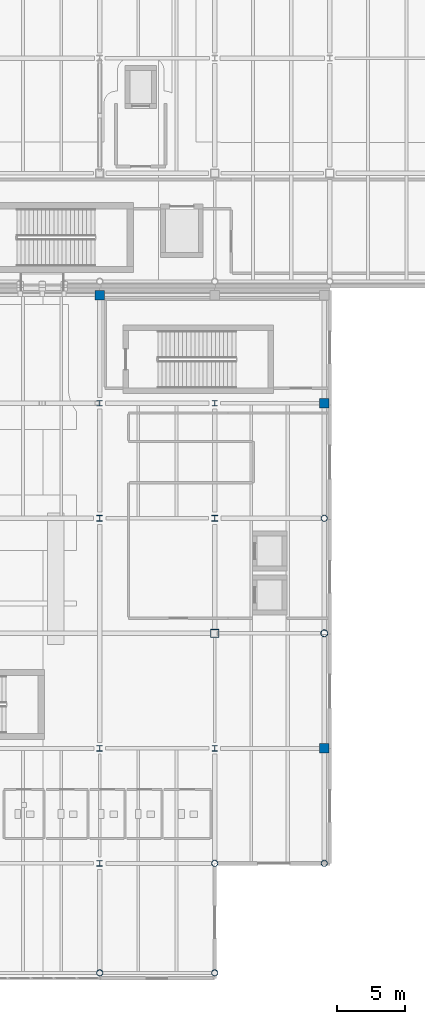
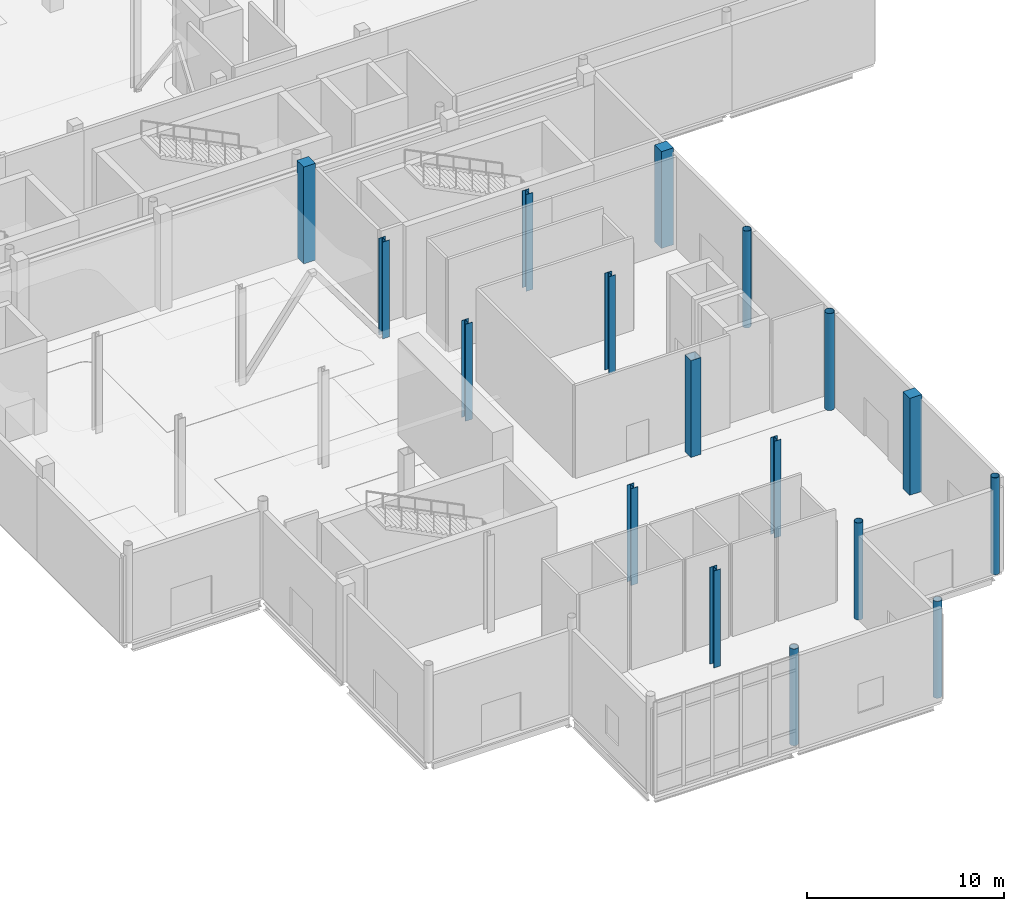
# One storey, part 13 of 85: 17 columns.
"""IFC4 building model written with IfcOpenShell, lengths in metres."""

from ifc_helpers import new_model, si_unit, direction, frame, origin, origin_2d, place, context, subcontext, project, spatial, rectangle, hollow_rectangle, hollow_circle, i_section, extrude, material, material_profile, profile_set, type_object, element, save


model = new_model("IFC4")

# Units and contexts
model_context = context("Model", 3, precision=1e-05, world=origin(), true_north=direction((0.0, 1.0)))
body_context = subcontext(model_context, "Body", "Model", "MODEL_VIEW")
ifc_project = project(units=[si_unit("LENGTHUNIT", "METRE"), si_unit("AREAUNIT", "SQUARE_METRE"), si_unit("VOLUMEUNIT", "CUBIC_METRE"), si_unit("PLANEANGLEUNIT", "RADIAN"), si_unit("MASSUNIT", "GRAM", prefix="KILO"), si_unit("THERMODYNAMICTEMPERATUREUNIT", "KELVIN")], contexts=[model_context])

# Site, building, storey
site_placement = place(None, origin())
site = spatial("IfcSite", under=ifc_project, at=site_placement, CompositionType="ELEMENT")
building_placement = place(site_placement, origin())
building = spatial("IfcBuilding", under=site, at=building_placement, Name="Lustrewick Department Store", CompositionType="ELEMENT")
storey_placement = place(building_placement, origin())
storey = spatial("IfcBuildingStorey", under=building, at=storey_placement, Name="L01", CompositionType="ELEMENT", Elevation=0.0)

# Columns
ifc_material_1 = material(Name="Structural steel Q355C", Category="steel")
ifc_material_profile_1 = material_profile(ifc_material_1, hollow_rectangle(XDim=0.60009765625, YDim=0.60009765625, WallThickness=0.02392578125, at=origin_2d()), Name="BOX 600x600x24")
ifc_profile_set_1 = profile_set([ifc_material_profile_1], Name="Structural steel Q355C")
column_type_1 = type_object("IfcColumnType", Name="C04", PredefinedType="COLUMN", material=ifc_profile_set_1)
column_1_placement = place(storey_placement, frame((142.800048828125, 25.199951171875, 0.0), z_axis=(0.0, 0.0, 1.0), x_axis=(1.0, 0.0, 0.0)))
element("IfcColumn", 1, at=column_1_placement, inside=storey, type_object=column_type_1, Name="L01 V3 Column C04", PredefinedType="COLUMN", context=body_context, shape_type="SweptSolid", body=[
    extrude(hollow_rectangle(XDim=0.60009765625, YDim=0.60009765625, WallThickness=0.02392578125, at=origin_2d()), origin(), (0.0, 0.0, 1.0), 6.0),
])
ifc_material_profile_2 = material_profile(ifc_material_1, i_section(OverallWidth=0.405029296875, OverallDepth=0.4140625, WebThickness=0.01806640625, FlangeThickness=0.028076171875, FilletRadius=0.02197265625, at=origin_2d()), Name="HW 414x405x18x28")
ifc_profile_set_2 = profile_set([ifc_material_profile_2], Name="Structural steel Q355C")
column_type_2 = type_object("IfcColumnType", Name="C10", PredefinedType="COLUMN", material=ifc_profile_set_2)
for number, where, z_axis, x_axis, name in (
    (2, (134.39990234375, 8.39990234375, 0.0), (0.0, 0.0, 1.0), (1.0, 0.0, 0.0), "L01 V3 Column C10"),
    (3, (134.39990234375, 33.60009765625, 0.0), (0.0, 0.0, 1.0), (1.0, 0.0, 0.0), "L01 V3 Column C10"),
    (4, (142.800048828125, 33.60009765625, 0.0), (0.0, 0.0, 1.0), (1.0, 0.0, 0.0), "L01 V3 Column C10"),
):
    element("IfcColumn", number, at=place(storey_placement, frame(where, z_axis=z_axis, x_axis=x_axis)), inside=storey, type_object=column_type_2, Name=name, PredefinedType="COLUMN", context=body_context, shape_type="SweptSolid", body=[
        extrude(i_section(OverallWidth=0.405029296875, OverallDepth=0.4140625, WebThickness=0.01806640625, FlangeThickness=0.028076171875, FilletRadius=0.02197265625, at=origin_2d()), origin(), (0.0, 0.0, 1.0), 6.0),
    ])
ifc_material_2 = material(Name="Structural steel Q355B", Category="steel")
ifc_material_profile_3 = material_profile(ifc_material_2, i_section(OverallWidth=0.39990234375, OverallDepth=0.39990234375, WebThickness=0.012939453125, FlangeThickness=0.02099609375, FilletRadius=0.02197265625, at=origin_2d()), Name="HW 400x400x13x21")
ifc_profile_set_3 = profile_set([ifc_material_profile_3], Name="Structural steel Q355B")
column_type_3 = type_object("IfcColumnType", Name="C11", PredefinedType="COLUMN", material=ifc_profile_set_3)
for number, where, z_axis, x_axis, name in (
    (5, (134.39990234375, 16.800048828125, 0.0), (0.0, 0.0, 1.0), (1.0, 0.0, 0.0), "L01 V3 Column C11"),
    (6, (134.39990234375, 42.0, 0.0), (0.0, 0.0, 1.0), (1.0, 0.0, 0.0), "L01 V3 Column C11"),
    (7, (142.800048828125, 16.800048828125, 0.0), (0.0, 0.0, 1.0), (1.0, 0.0, 0.0), "L01 V3 Column C11"),
    (8, (142.800048828125, 42.0, 0.0), (0.0, 0.0, 1.0), (1.0, 0.0, 0.0), "L01 V3 Column C11"),
):
    element("IfcColumn", number, at=place(storey_placement, frame(where, z_axis=z_axis, x_axis=x_axis)), inside=storey, type_object=column_type_3, Name=name, PredefinedType="COLUMN", context=body_context, shape_type="SweptSolid", body=[
        extrude(i_section(OverallWidth=0.39990234375, OverallDepth=0.39990234375, WebThickness=0.012939453125, FlangeThickness=0.02099609375, FilletRadius=0.02197265625, at=origin_2d()), origin(), (0.0, 0.0, 1.0), 6.0),
    ])
ifc_material_profile_4 = material_profile(ifc_material_1, hollow_circle(Radius=0.25390625, WallThickness=0.01611328125, at=origin_2d()), Name="CHS 508x16")
ifc_profile_set_4 = profile_set([ifc_material_profile_4], Name="Structural steel Q355C")
column_type_4 = type_object("IfcColumnType", Name="CE01", PredefinedType="COLUMN", material=ifc_profile_set_4)
column_2_placement = place(storey_placement, frame((150.800048828125, 25.199951171875, 0.0), z_axis=(0.0, 0.0, 1.0), x_axis=(1.0, 0.0, 0.0)))
element("IfcColumn", 9, at=column_2_placement, inside=storey, type_object=column_type_4, Name="L01 V3 Column CE01", PredefinedType="COLUMN", context=body_context, shape_type="SweptSolid", body=[
    extrude(hollow_circle(Radius=0.25390625, WallThickness=0.01611328125, at=origin_2d()), origin(), (0.0, 0.0, 1.0), 6.0),
])
ifc_material_profile_5 = material_profile(ifc_material_1, hollow_circle(Radius=0.228515625, WallThickness=0.01611328125, at=origin_2d()), Name="CHS 457x16")
ifc_profile_set_5 = profile_set([ifc_material_profile_5], Name="Structural steel Q355C")
column_type_5 = type_object("IfcColumnType", Name="CE02", PredefinedType="COLUMN", material=ifc_profile_set_5)
for number, where, z_axis, x_axis, name in (
    (10, (134.39990234375, 0.39990234375, 0.0), (0.0, 0.0, 1.0), (1.0, 0.0, 0.0), "L01 V3 Column CE02"),
    (11, (142.800048828125, 0.39990234375, 0.0), (0.0, 0.0, 1.0), (1.0, 0.0, 0.0), "L01 V3 Column CE02"),
    (12, (142.800048828125, 8.39990234375, 0.0), (0.0, 0.0, 1.0), (1.0, 0.0, 0.0), "L01 V3 Column CE02"),
    (13, (150.800048828125, 8.39990234375, 0.0), (0.0, 0.0, 1.0), (1.0, 0.0, 0.0), "L01 V3 Column CE02"),
    (14, (150.800048828125, 33.60009765625, 0.0), (0.0, 0.0, 1.0), (1.0, 0.0, 0.0), "L01 V3 Column CE02"),
):
    element("IfcColumn", number, at=place(storey_placement, frame(where, z_axis=z_axis, x_axis=x_axis)), inside=storey, type_object=column_type_5, Name=name, PredefinedType="COLUMN", context=body_context, shape_type="SweptSolid", body=[
        extrude(hollow_circle(Radius=0.228515625, WallThickness=0.01611328125, at=origin_2d()), origin(), (0.0, 0.0, 1.0), 6.0),
    ])
ifc_material_3 = material(Name="Concrete C40", Category="concrete")
ifc_material_profile_6 = material_profile(ifc_material_3, rectangle(XDim=0.699951171875, YDim=0.699951171875, at=origin_2d()), Name="RC 700x700")
ifc_profile_set_6 = profile_set([ifc_material_profile_6], Name="Concrete C40")
column_type_6 = type_object("IfcColumnType", Name="CE06", PredefinedType="COLUMN", material=ifc_profile_set_6)
for number, where, z_axis, x_axis, name in (
    (15, (134.39990234375, 49.89990234375, 0.0), (0.0, 0.0, 1.0), (1.0, 0.0, 0.0), "L01 V3 Column CE06"),
    (16, (150.800048828125, 16.800048828125, 0.0), (0.0, 0.0, 1.0), (1.0, 0.0, 0.0), "L01 V3 Column CE06"),
    (17, (150.800048828125, 42.0, 0.0), (0.0, 0.0, 1.0), (1.0, 0.0, 0.0), "L01 V3 Column CE06"),
):
    element("IfcColumn", number, at=place(storey_placement, frame(where, z_axis=z_axis, x_axis=x_axis)), inside=storey, type_object=column_type_6, Name=name, PredefinedType="COLUMN", context=body_context, shape_type="SweptSolid", body=[
        extrude(rectangle(XDim=0.699951171875, YDim=0.699951171875, at=origin_2d()), origin(), (0.0, 0.0, 1.0), 6.0),
    ])

save(model, "model.ifc")
